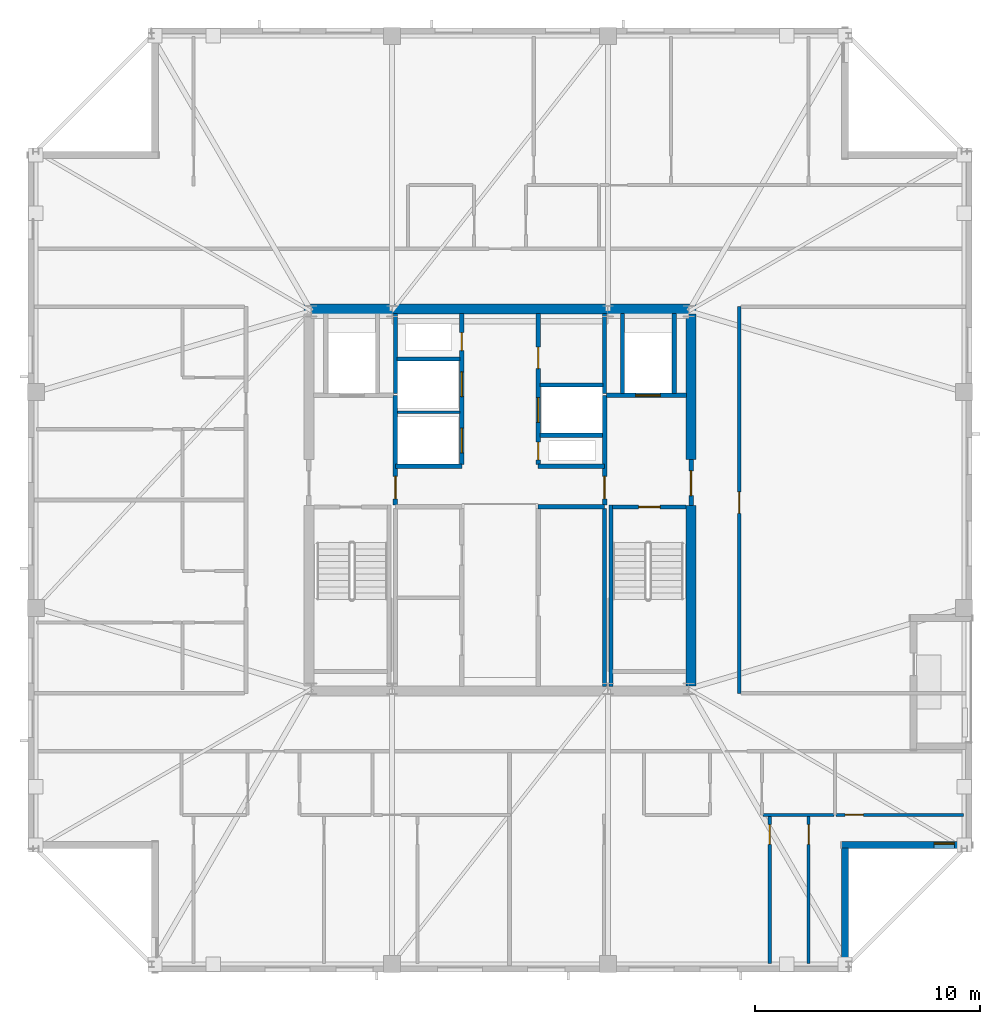
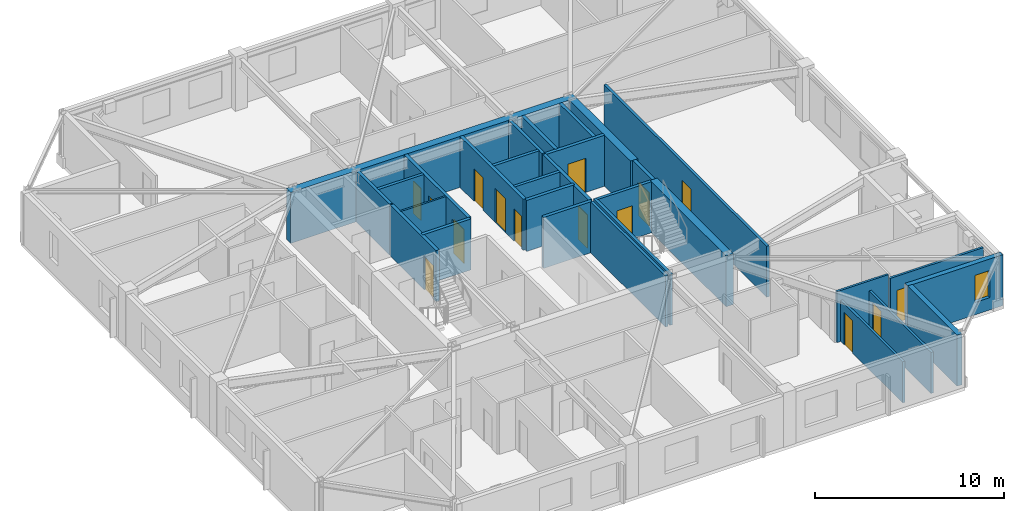
# One storey, part 9 of 15: 30 walls, 15 doors, 1 window, 16 openings.
"""IFC4 building model written with IfcOpenShell, lengths in metres."""

from ifc_helpers import new_model, si_unit, direction, frame, frame_2d, origin, place, context, subcontext, project, spatial, rectangle, extrude, material, layer, layer_set, type_object, element, fill, save


model = new_model("IFC4")

# Units and contexts
model_context = context("Model", 3, precision=1e-05, world=origin(), true_north=direction((0.0, 1.0)))
body_context = subcontext(model_context, "Body", "Model", "MODEL_VIEW")
ifc_project = project(units=[si_unit("LENGTHUNIT", "METRE"), si_unit("AREAUNIT", "SQUARE_METRE"), si_unit("VOLUMEUNIT", "CUBIC_METRE"), si_unit("PLANEANGLEUNIT", "RADIAN"), si_unit("MASSUNIT", "GRAM", prefix="KILO")], contexts=[model_context])

# Site, building, storey
site_placement = place(None, origin())
site = spatial("IfcSite", under=ifc_project, at=site_placement, CompositionType="ELEMENT")
building_placement = place(site_placement, origin())
building = spatial("IfcBuilding", under=site, at=building_placement, Name="Cairnveth Concourse Tower", CompositionType="ELEMENT")
storey_placement = place(building_placement, frame((0.0, 0.0, 298.0)))
storey = spatial("IfcBuildingStorey", under=building, at=storey_placement, Name="L82", CompositionType="ELEMENT", Elevation=298.0)

# Wall
ifc_material_1 = material(Name="Gypsum Plasterboard Partition", Category="gypsum")
ifc_layer_1 = layer(ifc_material_1, 0.159912109375)
ifc_layer_set_1 = layer_set([ifc_layer_1], Name="Gypsum Plasterboard Partition")
wall_type_1 = type_object("IfcWallType", Name="ACOUSTIC PARTY WALL 180", PredefinedType="PARTITIONING", material=ifc_layer_set_1)
wall_1_placement = place(storey_placement, frame((56.64990234375, 30.7099609375, 0.0), z_axis=(0.0, 0.0, 1.0), x_axis=(0.0, 1.0, 0.0)))
element("IfcWall", 1, at=wall_1_placement, inside=storey, type_object=wall_type_1, Name="Interior Wall IW-L82-027", PredefinedType="PARTITIONING", context=body_context, shape_type="SweptSolid", body=[
    extrude(rectangle(XDim=7.905029296875, YDim=0.159912109375, at=frame_2d((3.95263671875, 0.0))), origin(), (0.0, 0.0, 1.0), 3.2900390625),
])

# Wall, opening, door
wall_2_placement = place(storey_placement, frame((62.64990234375, 30.39990234375, 0.0), z_axis=(0.0, 0.0, 1.0), x_axis=(0.0, 1.0, 0.0)))
wall_2 = element("IfcWall", 2, at=wall_2_placement, inside=storey, type_object=wall_type_1, Name="Interior Wall IW-L82-037", PredefinedType="PARTITIONING", context=body_context, shape_type="SweptSolid", body=[
    extrude(rectangle(XDim=17.2001953125, YDim=0.159912109375, at=frame_2d((8.60009765625, 0.0))), origin(), (0.0, 0.0, 1.0), 3.2900390625),
])
opening_1_placement = place(wall_2_placement, frame((8.0, 0.0, 0.0)))
opening_1 = element("IfcOpeningElement", 3, at=opening_1_placement, cuts=wall_2, Name="Opening ID11", PredefinedType="OPENING", context=body_context, shape_type="SweptSolid", body=[
    extrude(rectangle(XDim=0.9599609375, YDim=2.1201171875, at=frame_2d((0.47998046875, 1.06005859375))), frame((0.0, 0.08984375, 0.0), z_axis=(0.0, -1.0, 0.0), x_axis=(1.0, 0.0, 0.0)), (0.0, 0.0, 1.0), 0.179931640625),
])
ifc_material_2 = material(Name="Solid Core Hardwood Timber Leaf", Category="wood")
door_type_1 = type_object("IfcDoorType", Name="INTERIOR SINGLE DOOR 960X2150", OperationType="NOTDEFINED", PredefinedType="DOOR", material=ifc_material_2)
door_1_placement = place(opening_1_placement, origin())
door_1 = element("IfcDoor", 4, at=door_1_placement, inside=storey, type_object=door_type_1, Name="Interior Door DR-L82-046", OperationType="SINGLE_SWING_RIGHT", OverallHeight=2.1201171875, OverallWidth=0.9599609375, PredefinedType="DOOR", context=body_context, shape_type="SweptSolid", body=[
    extrude(rectangle(XDim=0.9599609375, YDim=2.1201171875, at=frame_2d((0.47998046875, 1.06005859375))), frame((0.0, 0.02490234375, 0.0), z_axis=(0.0, -1.0, 0.0), x_axis=(1.0, 0.0, 0.0)), (0.0, 0.0, 1.0), 0.050048828125),
])
fill(opening_1, door_1)

# Walls
ifc_material_3 = material(Name="Concrete N65 (65 MPa)", Category="concrete")
ifc_layer_2 = layer(ifc_material_3, 0.449951171875)
ifc_layer_set_2 = layer_set([ifc_layer_2], Name="Concrete N65 (65 MPa)")
wall_type_2 = type_object("IfcWallType", Name="CORE SHEAR WALL 450", PredefinedType="SHEAR", material=ifc_layer_set_2)
wall_3_placement = place(storey_placement, frame((43.27490234375, 47.5, 0.0), z_axis=(0.0, 0.0, 1.0), x_axis=(1.0, 0.0, 0.0)))
element("IfcWall", 5, at=wall_3_placement, inside=storey, type_object=wall_type_2, Name="Core North Shear Wall L82", PredefinedType="SHEAR", context=body_context, shape_type="SweptSolid", body=[
    extrude(rectangle(XDim=17.4501953125, YDim=0.449951171875, at=frame_2d((8.72509765625, 0.0))), origin(), (0.0, 0.0, 1.0), 3.2900390625),
])
wall_4_placement = place(storey_placement, frame((60.5, 30.715087890625, 0.0), z_axis=(0.0, 0.0, 1.0), x_axis=(0.0, 1.0, 0.0)))
element("IfcWall", 6, at=wall_4_placement, inside=storey, type_object=wall_type_2, Name="Core East Shear Wall S L82", PredefinedType="SHEAR", context=body_context, shape_type="SweptSolid", body=[
    extrude(rectangle(XDim=8.034912109375, YDim=0.449951171875, at=frame_2d((4.017578125, 0.0))), origin(), (0.0, 0.0, 1.0), 3.2900390625),
])
wall_5_placement = place(storey_placement, frame((60.5, 40.800048828125, 0.0), z_axis=(0.0, 0.0, 1.0), x_axis=(0.0, 1.0, 0.0)))
element("IfcWall", 7, at=wall_5_placement, inside=storey, type_object=wall_type_2, Name="Core East Shear Wall N L82", PredefinedType="SHEAR", context=body_context, shape_type="SweptSolid", body=[
    extrude(rectangle(XDim=6.48486328125, YDim=0.449951171875, at=frame_2d((3.242431640625, 0.0))), origin(), (0.0, 0.0, 1.0), 3.2900390625),
])
ifc_material_4 = material(Name="Concrete N50 (50 MPa)", Category="concrete")
ifc_layer_3 = layer(ifc_material_4, 0.179931640625)
ifc_layer_set_3 = layer_set([ifc_layer_3], Name="Concrete N50 (50 MPa)")
wall_type_3 = type_object("IfcWallType", Name="FIRE SHAFT WALL 180", PredefinedType="SOLIDWALL", material=ifc_layer_set_3)
wall_6_placement = place(storey_placement, frame((47.35009765625, 43.735107421875, 0.0), z_axis=(0.0, 0.0, 1.0), x_axis=(0.0, 1.0, 0.0)))
element("IfcWall", 8, at=wall_6_placement, inside=storey, type_object=wall_type_3, Name="Interior Wall IW-L82-028", PredefinedType="SOLIDWALL", context=body_context, shape_type="SweptSolid", body=[
    extrude(rectangle(XDim=3.554931640625, YDim=0.179931640625, at=frame_2d((1.77734375, 0.0))), origin(), (0.0, 0.0, 1.0), 3.2900390625),
])
wall_7_placement = place(storey_placement, frame((47.425048828125, 45.280029296875, 0.0), z_axis=(0.0, 0.0, 1.0), x_axis=(1.0, 0.0, 0.0)))
element("IfcWall", 9, at=wall_7_placement, inside=storey, type_object=wall_type_3, Name="Interior Wall IW-L82-030", PredefinedType="SOLIDWALL", context=body_context, shape_type="SweptSolid", body=[
    extrude(rectangle(XDim=2.7900390625, YDim=0.179931640625, at=frame_2d((1.39501953125, 0.0))), origin(), (0.0, 0.0, 1.0), 3.2900390625),
])
wall_8_placement = place(storey_placement, frame((56.64990234375, 43.735107421875, 0.0), z_axis=(0.0, 0.0, 1.0), x_axis=(0.0, 1.0, 0.0)))
element("IfcWall", 10, at=wall_8_placement, inside=storey, type_object=wall_type_3, Name="Interior Wall IW-L82-031", PredefinedType="SOLIDWALL", context=body_context, shape_type="SweptSolid", body=[
    extrude(rectangle(XDim=3.554931640625, YDim=0.179931640625, at=frame_2d((1.77734375, 0.0))), origin(), (0.0, 0.0, 1.0), 3.2900390625),
])
wall_9_placement = place(storey_placement, frame((53.784912109375, 41.8798828125, 0.0), z_axis=(0.0, 0.0, 1.0), x_axis=(1.0, 0.0, 0.0)))
element("IfcWall", 11, at=wall_9_placement, inside=storey, type_object=wall_type_3, Name="Interior Wall IW-L82-032", PredefinedType="SOLIDWALL", context=body_context, shape_type="SweptSolid", body=[
    extrude(rectangle(XDim=2.780029296875, YDim=0.179931640625, at=frame_2d((1.39013671875, 0.0))), origin(), (0.0, 0.0, 1.0), 3.2900390625),
])
wall_10_placement = place(storey_placement, frame((53.784912109375, 44.1201171875, 0.0), z_axis=(0.0, 0.0, 1.0), x_axis=(1.0, 0.0, 0.0)))
element("IfcWall", 12, at=wall_10_placement, inside=storey, type_object=wall_type_3, Name="Interior Wall IW-L82-033", PredefinedType="SOLIDWALL", context=body_context, shape_type="SweptSolid", body=[
    extrude(rectangle(XDim=2.7900390625, YDim=0.179931640625, at=frame_2d((1.39501953125, 0.0))), origin(), (0.0, 0.0, 1.0), 3.2900390625),
])

# Wall, opening, door
wall_11_placement = place(storey_placement, frame((57.0048828125, 38.68994140625, 0.0), z_axis=(0.0, 0.0, 1.0), x_axis=(1.0, 0.0, 0.0)))
wall_11 = element("IfcWall", 13, at=wall_11_placement, inside=storey, type_object=wall_type_3, Name="Stair ST-2 Shaft Wall NEAR L82", PredefinedType="SOLIDWALL", context=body_context, shape_type="SweptSolid", body=[
    extrude(rectangle(XDim=3.280029296875, YDim=0.179931640625, at=frame_2d((1.64013671875, 0.0))), origin(), (0.0, 0.0, 1.0), 3.2900390625),
])
opening_2_placement = place(wall_11_placement, frame((1.1650390625, 0.0, 0.0)))
opening_2 = element("IfcOpeningElement", 14, at=opening_2_placement, cuts=wall_11, Name="Opening ID12", PredefinedType="OPENING", context=body_context, shape_type="SweptSolid", body=[
    extrude(rectangle(XDim=0.949951171875, YDim=2.14990234375, at=frame_2d((0.47509765625, 1.074951171875))), frame((0.0, 0.099853515625, 0.0), z_axis=(0.0, -1.0, 0.0), x_axis=(1.0, 0.0, 0.0)), (0.0, 0.0, 1.0), 0.199951171875),
])
ifc_material_5 = material(Name="Steel Grade 350", Category="steel")
door_type_2 = type_object("IfcDoorType", Name="FIRE STAIR DOOR 950X2150", OperationType="NOTDEFINED", PredefinedType="DOOR", material=ifc_material_5)
door_2_placement = place(opening_2_placement, origin())
door_2 = element("IfcDoor", 15, at=door_2_placement, inside=storey, type_object=door_type_2, Name="Stair ST-2 Fire Door L82", OperationType="SINGLE_SWING_RIGHT", OverallHeight=2.14990234375, OverallWidth=0.949951171875, PredefinedType="DOOR", context=body_context, shape_type="SweptSolid", body=[
    extrude(rectangle(XDim=0.949951171875, YDim=2.14990234375, at=frame_2d((0.47509765625, 1.074951171875))), frame((0.0, 0.02490234375, 0.0), z_axis=(0.0, -1.0, 0.0), x_axis=(1.0, 0.0, 0.0)), (0.0, 0.0, 1.0), 0.050048828125),
])
fill(opening_2, door_2)

# Walls
wall_12_placement = place(storey_placement, frame((56.929931640625, 38.780029296875, 0.0), z_axis=(0.0, 0.0, 1.0), x_axis=(0.0, -1.0, 0.0)))
element("IfcWall", 16, at=wall_12_placement, inside=storey, type_object=wall_type_3, Name="Stair ST-2 Shaft Wall LEFT L82", PredefinedType="SOLIDWALL", context=body_context, shape_type="SweptSolid", body=[
    extrude(rectangle(XDim=8.067138671875, YDim=0.179931640625, at=frame_2d((4.03369140625, 0.0))), origin(), (0.0, 0.0, 1.0), 3.2900390625),
])
ifc_layer_4 = layer(ifc_material_4, 0.199951171875)
ifc_layer_set_4 = layer_set([ifc_layer_4], Name="Concrete N50 (50 MPa)")
wall_type_4 = type_object("IfcWallType", Name="FIRE SHAFT WALL 200", PredefinedType="SOLIDWALL", material=ifc_layer_set_4)
for number, where, z_axis, x_axis, name in (
    (17, (47.35009765625, 40.5, 0.0), (0.0, 0.0, 1.0), (1.0, 0.0, 0.0), "Interior Wall IW-L82-008"),
    (18, (53.699951171875, 38.699951171875, 0.0), (0.0, 0.0, 1.0), (1.0, 0.0, 0.0), "Interior Wall IW-L82-009"),
    (19, (53.699951171875, 40.5, 0.0), (0.0, 0.0, 1.0), (1.0, 0.0, 0.0), "Interior Wall IW-L82-010"),
):
    element("IfcWall", number, at=place(storey_placement, frame(where, z_axis=z_axis, x_axis=x_axis)), inside=storey, type_object=wall_type_4, Name=name, PredefinedType="SOLIDWALL", context=body_context, shape_type="SweptSolid", body=[
        extrude(rectangle(XDim=2.949951171875, YDim=0.199951171875, at=frame_2d((1.47509765625, 0.0))), origin(), (0.0, 0.0, 1.0), 3.2900390625),
    ])

# Wall, openings, doors
wall_13_placement = place(storey_placement, frame((50.300048828125, 40.5849609375, 0.0), z_axis=(0.0, 0.0, 1.0), x_axis=(0.0, 1.0, 0.0)))
wall_13 = element("IfcWall", 20, at=wall_13_placement, inside=storey, type_object=wall_type_4, Name="Interior Wall IW-L82-013", PredefinedType="SOLIDWALL", context=body_context, shape_type="SweptSolid", body=[
    extrude(rectangle(XDim=6.705078125, YDim=0.199951171875, at=frame_2d((3.3525390625, 0.0))), origin(), (0.0, 0.0, 1.0), 3.2900390625),
])
opening_3_placement = place(wall_13_placement, frame((0.514892578125, 0.0, 0.0)))
opening_3 = element("IfcOpeningElement", 21, at=opening_3_placement, cuts=wall_13, Name="Opening LD-1", PredefinedType="OPENING", context=body_context, shape_type="SweptSolid", body=[
    extrude(rectangle(XDim=1.10009765625, YDim=2.199951171875, at=frame_2d((0.550048828125, 1.10009765625))), frame((0.0, 0.10986328125, 0.0), z_axis=(0.0, -1.0, 0.0), x_axis=(1.0, 0.0, 0.0)), (0.0, 0.0, 1.0), 0.219970703125),
])
opening_4_placement = place(wall_13_placement, frame((3.014892578125, 0.0, 0.0)))
opening_4 = element("IfcOpeningElement", 22, at=opening_4_placement, cuts=wall_13, Name="Opening LD-1", PredefinedType="OPENING", context=body_context, shape_type="SweptSolid", body=[
    extrude(rectangle(XDim=1.10009765625, YDim=2.199951171875, at=frame_2d((0.550048828125, 1.10009765625))), frame((0.0, 0.10986328125, 0.0), z_axis=(0.0, -1.0, 0.0), x_axis=(1.0, 0.0, 0.0)), (0.0, 0.0, 1.0), 0.219970703125),
])
opening_5_placement = place(wall_13_placement, frame((5.06494140625, 0.0, 0.0)))
opening_5 = element("IfcOpeningElement", 23, at=opening_5_placement, cuts=wall_13, Name="Opening ID24", PredefinedType="OPENING", context=body_context, shape_type="SweptSolid", body=[
    extrude(rectangle(XDim=0.800048828125, YDim=2.080078125, at=frame_2d((0.39990234375, 1.0400390625))), frame((0.0, 0.10986328125, 0.0), z_axis=(0.0, -1.0, 0.0), x_axis=(1.0, 0.0, 0.0)), (0.0, 0.0, 1.0), 0.219970703125),
])
ifc_material_6 = material(Name="Architectural Bronze Anodised Aluminium 6063-T6", Category="aluminium")
door_type_3 = type_object("IfcDoorType", Name="LIFT LANDING DOOR 1100X2200", OperationType="SLIDING_TO_LEFT", PredefinedType="DOOR", material=ifc_material_6)
door_3_placement = place(opening_3_placement, origin())
door_3 = element("IfcDoor", 24, at=door_3_placement, inside=storey, type_object=door_type_3, Name="Lift PL7 Landing Door L82", OperationType="SLIDING_TO_LEFT", OverallHeight=2.199951171875, OverallWidth=1.10009765625, PredefinedType="DOOR", context=body_context, shape_type="SweptSolid", body=[
    extrude(rectangle(XDim=1.10009765625, YDim=2.199951171875, at=frame_2d((0.550048828125, 1.10009765625))), frame((0.0, 0.02490234375, 0.0), z_axis=(0.0, -1.0, 0.0), x_axis=(1.0, 0.0, 0.0)), (0.0, 0.0, 1.0), 0.050048828125),
])
fill(opening_3, door_3)
door_4_placement = place(opening_4_placement, origin())
door_4 = element("IfcDoor", 25, at=door_4_placement, inside=storey, type_object=door_type_3, Name="Lift PL8 Landing Door L82", OperationType="SLIDING_TO_LEFT", OverallHeight=2.199951171875, OverallWidth=1.10009765625, PredefinedType="DOOR", context=body_context, shape_type="SweptSolid", body=[
    extrude(rectangle(XDim=1.10009765625, YDim=2.199951171875, at=frame_2d((0.550048828125, 1.10009765625))), frame((0.0, 0.02490234375, 0.0), z_axis=(0.0, -1.0, 0.0), x_axis=(1.0, 0.0, 0.0)), (0.0, 0.0, 1.0), 0.050048828125),
])
fill(opening_4, door_4)
door_type_4 = type_object("IfcDoorType", Name="RISER ACCESS DOOR 800X2100", OperationType="NOTDEFINED", PredefinedType="DOOR", material=ifc_material_5)
door_5_placement = place(opening_5_placement, origin())
door_5 = element("IfcDoor", 26, at=door_5_placement, inside=storey, type_object=door_type_4, Name="NW Electrical Riser Access Door L82", OperationType="SINGLE_SWING_RIGHT", OverallHeight=2.080078125, OverallWidth=0.800048828125, PredefinedType="DOOR", context=body_context, shape_type="SweptSolid", body=[
    extrude(rectangle(XDim=0.800048828125, YDim=2.080078125, at=frame_2d((0.39990234375, 1.0400390625))), frame((0.0, 0.02490234375, 0.0), z_axis=(0.0, -1.0, 0.0), x_axis=(1.0, 0.0, 0.0)), (0.0, 0.0, 1.0), 0.050048828125),
])
fill(opening_5, door_5)

wall_14_placement = place(storey_placement, frame((53.699951171875, 40.5849609375, 0.0), z_axis=(0.0, 0.0, 1.0), x_axis=(0.0, 1.0, 0.0)))
wall_14 = element("IfcWall", 27, at=wall_14_placement, inside=storey, type_object=wall_type_4, Name="Interior Wall IW-L82-014", PredefinedType="SOLIDWALL", context=body_context, shape_type="SweptSolid", body=[
    extrude(rectangle(XDim=6.705078125, YDim=0.199951171875, at=frame_2d((3.3525390625, 0.0))), origin(), (0.0, 0.0, 1.0), 3.2900390625),
])
opening_6_placement = place(wall_14_placement, frame((0.195068359375, 0.0, 0.0)))
opening_6 = element("IfcOpeningElement", 28, at=opening_6_placement, cuts=wall_14, Name="Opening ID24", PredefinedType="OPENING", context=body_context, shape_type="SweptSolid", body=[
    extrude(rectangle(XDim=0.800048828125, YDim=2.080078125, at=frame_2d((0.39990234375, 1.0400390625))), frame((0.0, 0.10986328125, 0.0), z_axis=(0.0, -1.0, 0.0), x_axis=(1.0, 0.0, 0.0)), (0.0, 0.0, 1.0), 0.219970703125),
])
opening_7_placement = place(wall_14_placement, frame((1.864990234375, 0.0, 0.0)))
opening_7 = element("IfcOpeningElement", 29, at=opening_7_placement, cuts=wall_14, Name="Opening LD-1", PredefinedType="OPENING", context=body_context, shape_type="SweptSolid", body=[
    extrude(rectangle(XDim=1.10009765625, YDim=2.199951171875, at=frame_2d((0.550048828125, 1.10009765625))), frame((0.0, 0.10986328125, 0.0), z_axis=(0.0, -1.0, 0.0), x_axis=(1.0, 0.0, 0.0)), (0.0, 0.0, 1.0), 0.219970703125),
])
opening_8_placement = place(wall_14_placement, frame((4.264892578125, 0.0, 0.0)))
opening_8 = element("IfcOpeningElement", 30, at=opening_8_placement, cuts=wall_14, Name="Opening ID25", PredefinedType="OPENING", context=body_context, shape_type="SweptSolid", body=[
    extrude(rectangle(XDim=0.949951171875, YDim=2.1201171875, at=frame_2d((0.47509765625, 1.06005859375))), frame((0.0, 0.10986328125, 0.0), z_axis=(0.0, -1.0, 0.0), x_axis=(1.0, 0.0, 0.0)), (0.0, 0.0, 1.0), 0.219970703125),
])
door_type_5 = type_object("IfcDoorType", Name="CORE ACCESSIBLE FIRE DOOR 950X2120", OperationType="NOTDEFINED", PredefinedType="DOOR", material=ifc_material_5)
door_6_placement = place(opening_8_placement, origin())
door_6 = element("IfcDoor", 31, at=door_6_placement, inside=storey, type_object=door_type_5, Name="Core NE Accessible WC Door L82", OperationType="SINGLE_SWING_LEFT", OverallHeight=2.1201171875, OverallWidth=0.949951171875, PredefinedType="DOOR", context=body_context, shape_type="SweptSolid", body=[
    extrude(rectangle(XDim=0.949951171875, YDim=2.1201171875, at=frame_2d((0.47509765625, 1.06005859375))), frame((0.0, 0.02490234375, 0.0), z_axis=(0.0, -1.0, 0.0), x_axis=(1.0, 0.0, 0.0)), (0.0, 0.0, 1.0), 0.050048828125),
])
fill(opening_8, door_6)
door_7_placement = place(opening_7_placement, origin())
door_7 = element("IfcDoor", 32, at=door_7_placement, inside=storey, type_object=door_type_3, Name="Lift PL9 Landing Door L82", OperationType="SLIDING_TO_LEFT", OverallHeight=2.199951171875, OverallWidth=1.10009765625, PredefinedType="DOOR", context=body_context, shape_type="SweptSolid", body=[
    extrude(rectangle(XDim=1.10009765625, YDim=2.199951171875, at=frame_2d((0.550048828125, 1.10009765625))), frame((0.0, 0.02490234375, 0.0), z_axis=(0.0, -1.0, 0.0), x_axis=(1.0, 0.0, 0.0)), (0.0, 0.0, 1.0), 0.050048828125),
])
fill(opening_7, door_7)
door_8_placement = place(opening_6_placement, origin())
door_8 = element("IfcDoor", 33, at=door_8_placement, inside=storey, type_object=door_type_4, Name="Hydraulic Riser Door L82", OperationType="SINGLE_SWING_LEFT", OverallHeight=2.080078125, OverallWidth=0.800048828125, PredefinedType="DOOR", context=body_context, shape_type="SweptSolid", body=[
    extrude(rectangle(XDim=0.800048828125, YDim=2.080078125, at=frame_2d((0.39990234375, 1.0400390625))), frame((0.0, 0.02490234375, 0.0), z_axis=(0.0, -1.0, 0.0), x_axis=(1.0, 0.0, 0.0)), (0.0, 0.0, 1.0), 0.050048828125),
])
fill(opening_6, door_8)

# Wall, opening, door
wall_15_placement = place(storey_placement, frame((47.35009765625, 38.784912109375, 0.0), z_axis=(0.0, 0.0, 1.0), x_axis=(0.0, 1.0, 0.0)))
wall_15 = element("IfcWall", 34, at=wall_15_placement, inside=storey, type_object=wall_type_4, Name="Interior Wall IW-L82-016", PredefinedType="SOLIDWALL", context=body_context, shape_type="SweptSolid", body=[
    extrude(rectangle(XDim=4.864990234375, YDim=0.199951171875, at=frame_2d((2.4326171875, 0.0))), origin(), (0.0, 0.0, 1.0), 3.2900390625),
])
opening_9_placement = place(wall_15_placement, frame((0.264892578125, 0.0, 0.0)))
opening_9 = element("IfcOpeningElement", 35, at=opening_9_placement, cuts=wall_15, Name="Opening ID07", PredefinedType="OPENING", context=body_context, shape_type="SweptSolid", body=[
    extrude(rectangle(XDim=1.0, YDim=2.14990234375, at=frame_2d((0.5, 1.074951171875))), frame((0.0, 0.10986328125, 0.0), z_axis=(0.0, -1.0, 0.0), x_axis=(1.0, 0.0, 0.0)), (0.0, 0.0, 1.0), 0.219970703125),
])
door_type_6 = type_object("IfcDoorType", Name="FIRE CORRIDOR DOOR 1000X2150", OperationType="NOTDEFINED", PredefinedType="DOOR", material=ifc_material_5)
door_9_placement = place(opening_9_placement, origin())
door_9 = element("IfcDoor", 36, at=door_9_placement, inside=storey, type_object=door_type_6, Name="FF Lobby West to Lift Lobby Door L82", OperationType="SINGLE_SWING_RIGHT", OverallHeight=2.14990234375, OverallWidth=1.0, PredefinedType="DOOR", context=body_context, shape_type="SweptSolid", body=[
    extrude(rectangle(XDim=1.0, YDim=2.14990234375, at=frame_2d((0.5, 1.074951171875))), frame((0.0, 0.02490234375, 0.0), z_axis=(0.0, -1.0, 0.0), x_axis=(1.0, 0.0, 0.0)), (0.0, 0.0, 1.0), 0.050048828125),
])
fill(opening_9, door_9)

wall_16_placement = place(storey_placement, frame((60.5, 38.75, 0.0), z_axis=(0.0, 0.0, 1.0), x_axis=(0.0, 1.0, 0.0)))
wall_16 = element("IfcWall", 37, at=wall_16_placement, inside=storey, type_object=wall_type_4, Name="Interior Wall IW-L82-020", PredefinedType="SOLIDWALL", context=body_context, shape_type="SweptSolid", body=[
    extrude(rectangle(XDim=2.050048828125, YDim=0.199951171875, at=frame_2d((1.02490234375, 0.0))), origin(), (0.0, 0.0, 1.0), 3.2900390625),
])
opening_10_placement = place(wall_16_placement, frame((0.449951171875, 0.0, 0.0)))
opening_10 = element("IfcOpeningElement", 38, at=opening_10_placement, cuts=wall_16, Name="Opening ID06", PredefinedType="OPENING", context=body_context, shape_type="SweptSolid", body=[
    extrude(rectangle(XDim=1.10009765625, YDim=2.14990234375, at=frame_2d((0.550048828125, 1.074951171875))), frame((0.0, 0.10986328125, 0.0), z_axis=(0.0, -1.0, 0.0), x_axis=(1.0, 0.0, 0.0)), (0.0, 0.0, 1.0), 0.219970703125),
])
door_type_7 = type_object("IfcDoorType", Name="FIRE CORRIDOR DOOR 1100X2150", OperationType="NOTDEFINED", PredefinedType="DOOR", material=ifc_material_5)
door_10_placement = place(opening_10_placement, origin())
door_10 = element("IfcDoor", 39, at=door_10_placement, inside=storey, type_object=door_type_7, Name="East Wing to FF Lobby Door L82", OperationType="SINGLE_SWING_RIGHT", OverallHeight=2.14990234375, OverallWidth=1.10009765625, PredefinedType="DOOR", context=body_context, shape_type="SweptSolid", body=[
    extrude(rectangle(XDim=1.10009765625, YDim=2.14990234375, at=frame_2d((0.550048828125, 1.074951171875))), frame((0.0, 0.02490234375, 0.0), z_axis=(0.0, -1.0, 0.0), x_axis=(1.0, 0.0, 0.0)), (0.0, 0.0, 1.0), 0.050048828125),
])
fill(opening_10, door_10)

wall_17_placement = place(storey_placement, frame((56.64990234375, 38.784912109375, 0.0), z_axis=(0.0, 0.0, 1.0), x_axis=(0.0, 1.0, 0.0)))
wall_17 = element("IfcWall", 40, at=wall_17_placement, inside=storey, type_object=wall_type_4, Name="Interior Wall IW-L82-021", PredefinedType="SOLIDWALL", context=body_context, shape_type="SweptSolid", body=[
    extrude(rectangle(XDim=4.864990234375, YDim=0.199951171875, at=frame_2d((2.4326171875, 0.0))), origin(), (0.0, 0.0, 1.0), 3.2900390625),
])
opening_11_placement = place(wall_17_placement, frame((0.264892578125, 0.0, 0.0)))
opening_11 = element("IfcOpeningElement", 41, at=opening_11_placement, cuts=wall_17, Name="Opening ID07", PredefinedType="OPENING", context=body_context, shape_type="SweptSolid", body=[
    extrude(rectangle(XDim=1.0, YDim=2.14990234375, at=frame_2d((0.5, 1.074951171875))), frame((0.0, 0.10986328125, 0.0), z_axis=(0.0, -1.0, 0.0), x_axis=(1.0, 0.0, 0.0)), (0.0, 0.0, 1.0), 0.219970703125),
])
door_11_placement = place(opening_11_placement, origin())
door_11 = element("IfcDoor", 42, at=door_11_placement, inside=storey, type_object=door_type_6, Name="FF Lobby East to Lift Lobby Door L82", OperationType="SINGLE_SWING_LEFT", OverallHeight=2.14990234375, OverallWidth=1.0, PredefinedType="DOOR", context=body_context, shape_type="SweptSolid", body=[
    extrude(rectangle(XDim=1.0, YDim=2.14990234375, at=frame_2d((0.5, 1.074951171875))), frame((0.0, 0.02490234375, 0.0), z_axis=(0.0, -1.0, 0.0), x_axis=(1.0, 0.0, 0.0)), (0.0, 0.0, 1.0), 0.050048828125),
])
fill(opening_11, door_11)

wall_18_placement = place(storey_placement, frame((56.735107421875, 43.64990234375, 0.0), z_axis=(0.0, 0.0, 1.0), x_axis=(1.0, 0.0, 0.0)))
wall_18 = element("IfcWall", 43, at=wall_18_placement, inside=storey, type_object=wall_type_4, Name="Interior Wall IW-L82-022", PredefinedType="SOLIDWALL", context=body_context, shape_type="SweptSolid", body=[
    extrude(rectangle(XDim=3.554931640625, YDim=0.199951171875, at=frame_2d((1.77734375, 0.0))), origin(), (0.0, 0.0, 1.0), 3.2900390625),
])
opening_12_placement = place(wall_18_placement, frame((1.294921875, 0.0, 0.0)))
opening_12 = element("IfcOpeningElement", 44, at=opening_12_placement, cuts=wall_18, Name="Opening LD-1", PredefinedType="OPENING", context=body_context, shape_type="SweptSolid", body=[
    extrude(rectangle(XDim=1.10009765625, YDim=2.199951171875, at=frame_2d((0.550048828125, 1.10009765625))), frame((0.0, 0.10986328125, 0.0), z_axis=(0.0, -1.0, 0.0), x_axis=(1.0, 0.0, 0.0)), (0.0, 0.0, 1.0), 0.219970703125),
])
door_12_placement = place(opening_12_placement, origin())
door_12 = element("IfcDoor", 45, at=door_12_placement, inside=storey, type_object=door_type_3, Name="Lift FFL2 Landing Door L82", OperationType="SLIDING_TO_LEFT", OverallHeight=2.199951171875, OverallWidth=1.10009765625, PredefinedType="DOOR", context=body_context, shape_type="SweptSolid", body=[
    extrude(rectangle(XDim=1.10009765625, YDim=2.199951171875, at=frame_2d((0.550048828125, 1.10009765625))), frame((0.0, 0.02490234375, 0.0), z_axis=(0.0, -1.0, 0.0), x_axis=(1.0, 0.0, 0.0)), (0.0, 0.0, 1.0), 0.050048828125),
])
fill(opening_12, door_12)

# Walls
for number, where, z_axis, x_axis, name in (
    (46, (57.449951171875, 43.735107421875, 0.0), (0.0, 0.0, 1.0), (0.0, 1.0, 0.0), "Interior Wall IW-L82-023"),
    (47, (59.75, 43.735107421875, 0.0), (0.0, 0.0, 1.0), (0.0, 1.0, 0.0), "Interior Wall IW-L82-024"),
):
    element("IfcWall", number, at=place(storey_placement, frame(where, z_axis=z_axis, x_axis=x_axis)), inside=storey, type_object=wall_type_4, Name=name, PredefinedType="SOLIDWALL", context=body_context, shape_type="SweptSolid", body=[
        extrude(rectangle(XDim=3.554931640625, YDim=0.199951171875, at=frame_2d((1.77734375, 0.0))), origin(), (0.0, 0.0, 1.0), 3.2900390625),
    ])

# Wall, opening, door
ifc_layer_5 = layer(ifc_material_1, 0.139892578125)
ifc_layer_set_5 = layer_set([ifc_layer_5], Name="Gypsum Plasterboard Partition")
wall_type_5 = type_object("IfcWallType", Name="GYPSUM STUD PARTITION 140", PredefinedType="PARTITIONING", material=ifc_layer_set_5)
wall_19_placement = place(storey_placement, frame((65.72998046875, 18.3798828125, 0.0), z_axis=(0.0, 0.0, 1.0), x_axis=(0.0, 1.0, 0.0)))
wall_19 = element("IfcWall", 48, at=wall_19_placement, inside=storey, type_object=wall_type_5, Name="Interior Wall IW-L82-060", PredefinedType="PARTITIONING", context=body_context, shape_type="SweptSolid", body=[
    extrude(rectangle(XDim=6.5625, YDim=0.139892578125, at=frame_2d((3.28125, 0.0))), origin(), (0.0, 0.0, 1.0), 2.653076171875),
])
opening_13_placement = place(wall_19_placement, frame((5.302490234375, 0.0, 0.0)))
opening_13 = element("IfcOpeningElement", 49, at=opening_13_placement, cuts=wall_19, Name="Opening ID18", PredefinedType="OPENING", context=body_context, shape_type="SweptSolid", body=[
    extrude(rectangle(XDim=0.8798828125, YDim=2.10009765625, at=frame_2d((0.43994140625, 1.050048828125))), frame((0.0, 0.079833984375, 0.0), z_axis=(0.0, -1.0, 0.0), x_axis=(1.0, 0.0, 0.0)), (0.0, 0.0, 1.0), 0.159912109375),
])
door_type_8 = type_object("IfcDoorType", Name="INTERIOR SINGLE DOOR 880X2100", OperationType="NOTDEFINED", PredefinedType="DOOR", material=ifc_material_2)
door_13_placement = place(opening_13_placement, origin())
door_13 = element("IfcDoor", 50, at=door_13_placement, inside=storey, type_object=door_type_8, Name="L82PS2 Bedroom 2 Door", OperationType="SINGLE_SWING_LEFT", OverallHeight=2.10009765625, OverallWidth=0.8798828125, PredefinedType="DOOR", context=body_context, shape_type="SweptSolid", body=[
    extrude(rectangle(XDim=0.8798828125, YDim=2.10009765625, at=frame_2d((0.43994140625, 1.050048828125))), frame((0.0, 0.02490234375, 0.0), z_axis=(0.0, -1.0, 0.0), x_axis=(1.0, 0.0, 0.0)), (0.0, 0.0, 1.0), 0.050048828125),
])
fill(opening_13, door_13)

wall_20_placement = place(storey_placement, frame((66.951171875, 24.992431640625, 0.0), z_axis=(0.0, 0.0, 1.0), x_axis=(1.0, 0.0, 0.0)))
wall_20 = element("IfcWall", 51, at=wall_20_placement, inside=storey, type_object=wall_type_5, Name="Interior Wall IW-L82-061", PredefinedType="PARTITIONING", context=body_context, shape_type="SweptSolid", body=[
    extrude(rectangle(XDim=5.6787109375, YDim=0.139892578125, at=frame_2d((2.83935546875, 0.0))), origin(), (0.0, 0.0, 1.0), 3.009033203125),
])
opening_14_placement = place(wall_20_placement, frame((0.39990234375, 0.0, 0.0)))
opening_14 = element("IfcOpeningElement", 52, at=opening_14_placement, cuts=wall_20, Name="Opening ID22", PredefinedType="OPENING", context=body_context, shape_type="SweptSolid", body=[
    extrude(rectangle(XDim=0.820068359375, YDim=2.10009765625, at=frame_2d((0.41015625, 1.050048828125))), frame((0.0, 0.079833984375, 0.0), z_axis=(0.0, -1.0, 0.0), x_axis=(1.0, 0.0, 0.0)), (0.0, 0.0, 1.0), 0.159912109375),
])
door_type_9 = type_object("IfcDoorType", Name="INTERIOR WC DOOR 820X2100", OperationType="NOTDEFINED", PredefinedType="DOOR", material=ifc_material_2)
door_14_placement = place(opening_14_placement, origin())
door_14 = element("IfcDoor", 53, at=door_14_placement, inside=storey, type_object=door_type_9, Name="L82PS2 Utility Door", OperationType="SINGLE_SWING_RIGHT", OverallHeight=2.10009765625, OverallWidth=0.820068359375, PredefinedType="DOOR", context=body_context, shape_type="SweptSolid", body=[
    extrude(rectangle(XDim=0.820068359375, YDim=2.10009765625, at=frame_2d((0.41015625, 1.050048828125))), frame((0.0, 0.02490234375, 0.0), z_axis=(0.0, -1.0, 0.0), x_axis=(1.0, 0.0, 0.0)), (0.0, 0.0, 1.0), 0.050048828125),
])
fill(opening_14, door_14)

wall_21_placement = place(storey_placement, frame((64.001220703125, 18.3798828125, 0.0), z_axis=(0.0, 0.0, 1.0), x_axis=(0.0, 1.0, 0.0)))
wall_21 = element("IfcWall", 54, at=wall_21_placement, inside=storey, type_object=wall_type_5, Name="Interior Wall IW-L82-062", PredefinedType="PARTITIONING", context=body_context, shape_type="SweptSolid", body=[
    extrude(rectangle(XDim=6.5625, YDim=0.139892578125, at=frame_2d((3.28125, 0.0))), origin(), (0.0, 0.0, 1.0), 2.653076171875),
])
opening_15_placement = place(wall_21_placement, frame((5.302490234375, 0.0, 0.0)))
opening_15 = element("IfcOpeningElement", 55, at=opening_15_placement, cuts=wall_21, Name="Opening ID18", PredefinedType="OPENING", context=body_context, shape_type="SweptSolid", body=[
    extrude(rectangle(XDim=0.8798828125, YDim=2.10009765625, at=frame_2d((0.43994140625, 1.050048828125))), frame((0.0, 0.079833984375, 0.0), z_axis=(0.0, -1.0, 0.0), x_axis=(1.0, 0.0, 0.0)), (0.0, 0.0, 1.0), 0.159912109375),
])
door_15_placement = place(opening_15_placement, origin())
door_15 = element("IfcDoor", 56, at=door_15_placement, inside=storey, type_object=door_type_8, Name="L82PS2 Media Lounge Door", OperationType="SINGLE_SWING_RIGHT", OverallHeight=2.10009765625, OverallWidth=0.8798828125, PredefinedType="DOOR", context=body_context, shape_type="SweptSolid", body=[
    extrude(rectangle(XDim=0.8798828125, YDim=2.10009765625, at=frame_2d((0.43994140625, 1.050048828125))), frame((0.0, 0.02490234375, 0.0), z_axis=(0.0, -1.0, 0.0), x_axis=(1.0, 0.0, 0.0)), (0.0, 0.0, 1.0), 0.050048828125),
])
fill(opening_15, door_15)

# Walls
ifc_layer_6 = layer(ifc_material_1, 0.110107421875)
ifc_layer_set_6 = layer_set([ifc_layer_6], Name="Gypsum Plasterboard Partition")
wall_type_6 = type_object("IfcWallType", Name="SHAFT DIVIDER WALL 140", PredefinedType="PARTITIONING", material=ifc_layer_set_6)
wall_22_placement = place(storey_placement, frame((47.43505859375, 42.89990234375, 0.0), z_axis=(0.0, 0.0, 1.0), x_axis=(1.0, 0.0, 0.0)))
element("IfcWall", 57, at=wall_22_placement, inside=storey, type_object=wall_type_6, Name="Interior Wall IW-L82-029", PredefinedType="PARTITIONING", context=body_context, shape_type="SweptSolid", body=[
    extrude(rectangle(XDim=2.780029296875, YDim=0.110107421875, at=frame_2d((1.39013671875, 0.0))), origin(), (0.0, 0.0, 1.0), 3.2900390625),
])
ifc_layer_7 = layer(ifc_material_1, 0.1298828125)
ifc_layer_set_7 = layer_set([ifc_layer_7], Name="Gypsum Plasterboard Partition")
wall_type_7 = type_object("IfcWallType", Name="WET AREA PARTITION 140", PredefinedType="PLUMBINGWALL", material=ifc_layer_set_7)
wall_23_placement = place(storey_placement, frame((63.701171875, 24.992431640625, 0.0), z_axis=(0.0, 0.0, 1.0), x_axis=(1.0, 0.0, 0.0)))
element("IfcWall", 58, at=wall_23_placement, inside=storey, type_object=wall_type_7, Name="Interior Wall IW-L82-058", PredefinedType="PLUMBINGWALL", context=body_context, shape_type="SweptSolid", body=[
    extrude(rectangle(XDim=3.150146484375, YDim=0.1298828125, at=frame_2d((1.5751953125, 0.0))), origin(), (0.0, 0.0, 1.0), 3.2900390625),
])

# Wall, opening, window
ifc_material_7 = material(Name="Hawthorn Red-Ochre Fired Clay Brick Masonry", Category="masonry")
ifc_layer_8 = layer(ifc_material_7, 0.300048828125)
ifc_layer_set_8 = layer_set([ifc_layer_8], Name="Hawthorn Red-Ochre Fired Clay Brick Masonry")
wall_type_8 = type_object("IfcWallType", Name="ZONE 4 BRICK PIER SPANDREL WALL 300", PredefinedType="SOLIDWALL", material=ifc_layer_set_8)
wall_24_placement = place(storey_placement, frame((73.0, 23.64990234375, 0.0), z_axis=(0.0, 0.0, 1.0), x_axis=(-1.0, 0.0, 0.0)))
wall_24 = element("IfcWall", 59, at=wall_24_placement, inside=storey, type_object=wall_type_8, Name="Exterior Wall EW-L82-S01", PredefinedType="SOLIDWALL", context=body_context, shape_type="SweptSolid", body=[
    extrude(rectangle(XDim=5.800048828125, YDim=0.300048828125, at=frame_2d((2.89990234375, 0.0))), origin(), (0.0, 0.0, 1.0), 3.2900390625),
])
opening_16_placement = place(wall_24_placement, frame((0.7900390625, 0.0, 0.800048828125)))
opening_16 = element("IfcOpeningElement", 60, at=opening_16_placement, cuts=wall_24, Name="Opening W13", PredefinedType="OPENING", context=body_context, shape_type="SweptSolid", body=[
    extrude(rectangle(XDim=0.89990234375, YDim=1.75, at=frame_2d((0.449951171875, 0.875))), frame((0.0, 0.159912109375, 0.0), z_axis=(0.0, -1.0, 0.0), x_axis=(1.0, 0.0, 0.0)), (0.0, 0.0, 1.0), 0.320068359375),
])
ifc_material_8 = material(Name="Double Glazed Low-E Clear Glass", Category="glass")
window_type = type_object("IfcWindowType", Name="DEEP-SET BEDROOM LANCET WINDOW 900X1750", PartitioningType="DOUBLE_PANEL_VERTICAL", PredefinedType="WINDOW", material=ifc_material_8)
window_placement = place(opening_16_placement, origin())
window = element("IfcWindow", 61, at=window_placement, inside=storey, type_object=window_type, Name="Dwelling Lancet Window L82-DW2", OverallHeight=1.75, OverallWidth=0.89990234375, PartitioningType="SINGLE_PANEL", PredefinedType="WINDOW", context=body_context, shape_type="SweptSolid", body=[
    extrude(rectangle(XDim=0.89990234375, YDim=1.75, at=frame_2d((0.449951171875, 0.875))), frame((0.0, -0.0400390625, 0.0), z_axis=(0.0, -1.0, 0.0), x_axis=(1.0, 0.0, 0.0)), (0.0, 0.0, 1.0), 0.06005859375),
])
fill(opening_16, window)

# Wall
wall_25_placement = place(storey_placement, frame((67.35009765625, 23.52197265625, 0.0), z_axis=(0.0, 0.0, 1.0), x_axis=(0.0, -1.0, 0.0)))
element("IfcWall", 62, at=wall_25_placement, inside=storey, type_object=wall_type_8, Name="Exterior Wall EW-L82-S02", PredefinedType="SOLIDWALL", context=body_context, shape_type="SweptSolid", body=[
    extrude(rectangle(XDim=5.243896484375, YDim=0.300048828125, at=frame_2d((2.6220703125, 0.0))), origin(), (0.0, 0.0, 1.0), 3.2900390625),
])

save(model, "model.ifc")
